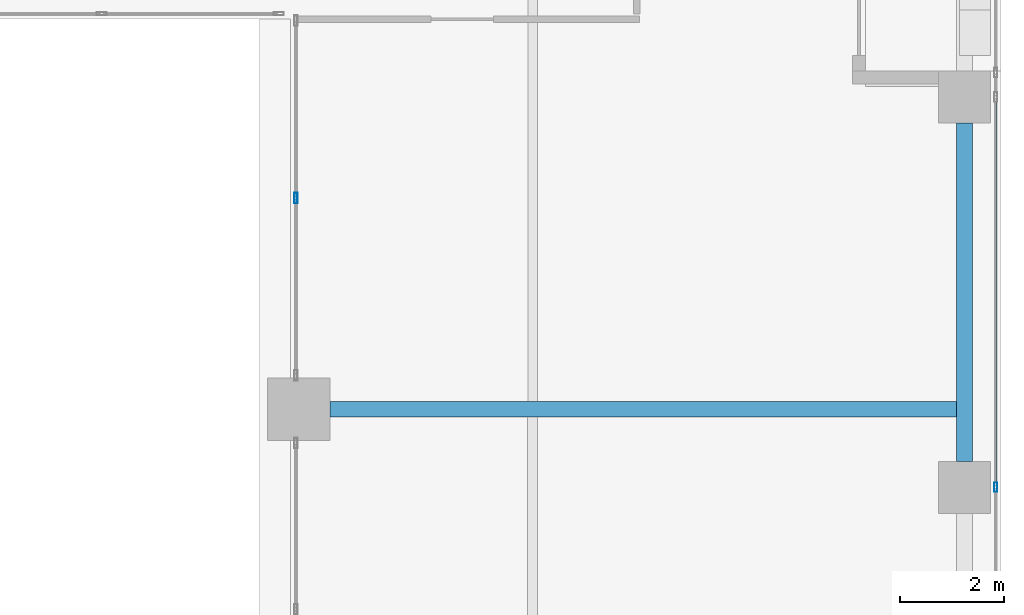
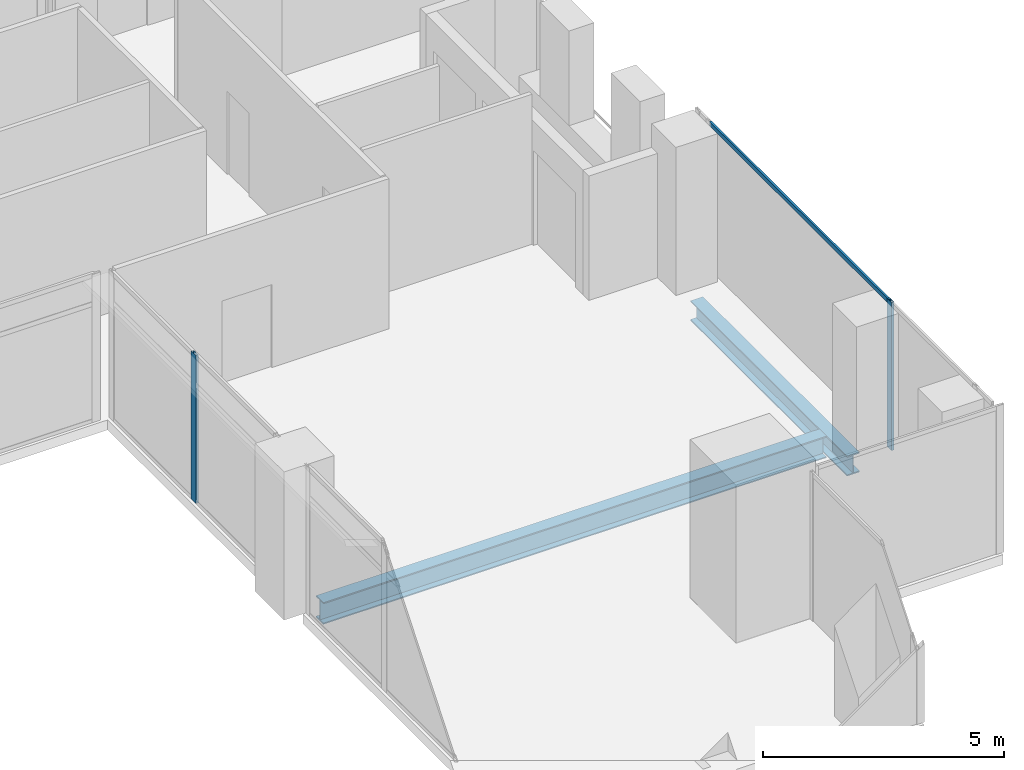
# One storey, part 13 of 38: 3 members, 2 beams, 2 elements without a shape of their own.
"""IFC4 building model written with IfcOpenShell, lengths in metres."""

from ifc_helpers import new_model, si_unit, direction, frame, origin, origin_2d, place, context, subcontext, project, spatial, hollow_rectangle, i_section, extrude, source, transform, mapped, material, material_profile, profile_set, type_object, element, aggregate, save


model = new_model("IFC4")

# Units and contexts
model_context = context("Model", 3, precision=1e-05, world=origin(), true_north=direction((0.0, 1.0)))
body_context = subcontext(model_context, "Body", "Model", "MODEL_VIEW")
ifc_project = project(units=[si_unit("LENGTHUNIT", "METRE"), si_unit("AREAUNIT", "SQUARE_METRE"), si_unit("VOLUMEUNIT", "CUBIC_METRE"), si_unit("PLANEANGLEUNIT", "RADIAN"), si_unit("MASSUNIT", "GRAM", prefix="KILO")], contexts=[model_context])

# Site, building, storey
site_placement = place(None, origin())
site = spatial("IfcSite", under=ifc_project, at=site_placement, CompositionType="ELEMENT")
building_placement = place(site_placement, origin())
building = spatial("IfcBuilding", under=site, at=building_placement, Name="Khomas Fold Tower", CompositionType="ELEMENT")
storey_placement = place(building_placement, frame((0.0, 0.0, 172.699951171875)))
storey = spatial("IfcBuildingStorey", under=building, at=storey_placement, Name="L37", CompositionType="ELEMENT", Elevation=172.699951171875)

# Beams
ifc_material_1 = material(Name="Steel S355", Category="steel")
ifc_material_profile_1 = material_profile(ifc_material_1, i_section(OverallWidth=0.300048828125, OverallDepth=0.5, WebThickness=0.014404296875, FlangeThickness=0.028076171875, at=origin_2d()), Name="HE 500 B")
ifc_profile_set_1 = profile_set([ifc_material_profile_1], Name="Steel S355")
beam_type_1 = type_object("IfcBeamType", Name="HE 500 B spandrel SB3", PredefinedType="SPANDREL", material=ifc_profile_set_1)
shared_shape_1 = source(origin(), body_context, "Body", "SweptSolid", [
    extrude(i_section(OverallWidth=0.300048828125, OverallDepth=0.5, WebThickness=0.014404296875, FlangeThickness=0.028076171875, at=origin_2d()), origin(), (0.0, 0.0, 1.0), 6.5),
])
beam_1_placement = place(storey_placement, frame((50.300048828125, 12.5, -0.5), z_axis=(0.0, 1.0, 0.0), x_axis=(-1.0, 0.0, 0.0)))
element("IfcBeam", 1, at=beam_1_placement, inside=storey, type_object=beam_type_1, Name="SB3", PredefinedType="SPANDREL", context=body_context, shape_type="MappedRepresentation", body=[
    mapped(shared_shape_1, transform((0.0, 0.0, 0.0))),
])
ifc_material_2 = material(Name="Steel S355", Category="steel")
ifc_material_profile_2 = material_profile(ifc_material_2, i_section(OverallWidth=0.300048828125, OverallDepth=0.550048828125, WebThickness=0.014892578125, FlangeThickness=0.029052734375, at=origin_2d()), Name="HE 550 B")
ifc_profile_set_2 = profile_set([ifc_material_profile_2], Name="Steel S355")
beam_type_2 = type_object("IfcBeamType", Name="HE 550 B beam GB4", PredefinedType="BEAM", material=ifc_profile_set_2)
shared_shape_2 = source(origin(), body_context, "Body", "SweptSolid", [
    extrude(i_section(OverallWidth=0.300048828125, OverallDepth=0.550048828125, WebThickness=0.014892578125, FlangeThickness=0.029052734375, at=origin_2d()), origin(), (0.0, 0.0, 1.0), 12.0498046875),
])
beam_2_placement = place(storey_placement, frame((38.10009765625, 13.5, -0.52490234375), z_axis=(1.0, 0.0, 0.0), x_axis=(0.0, 1.0, 0.0)))
element("IfcBeam", 2, at=beam_2_placement, inside=storey, type_object=beam_type_2, Name="GB4", PredefinedType="BEAM", context=body_context, shape_type="MappedRepresentation", body=[
    mapped(shared_shape_2, transform((0.0, 0.0, 0.0))),
])

# Curtain wall, members
ifc_material_3 = material(Name="Aluminium framed double glazing", Category="aluminium")
curtain_wall_type_1 = type_object("IfcCurtainWallType", Name="SK-Unitised clear-glass wall, office floors CW2", PredefinedType="NOTDEFINED", material=ifc_material_3)
curtain_wall_1_placement = place(storey_placement, origin())
curtain_wall_1 = element("IfcCurtainWall", 3, at=curtain_wall_1_placement, inside=storey, type_object=curtain_wall_type_1, Name="CW2 run L37 08-0", PredefinedType="NOTDEFINED")
ifc_material_4 = material(Name="Aluminium", Category="aluminium")
ifc_material_profile_3 = material_profile(ifc_material_4, hollow_rectangle(XDim=0.06005859375, YDim=0.179931640625, WallThickness=0.00390625, at=origin_2d()), Name="SK-Unitised clear-glass wall, office floors mullion CW2-M")
ifc_profile_set_3 = profile_set([ifc_material_profile_3], Name="Aluminium")
member_type_1 = type_object("IfcMemberType", Name="SK-Unitised clear-glass wall, office floors mullion CW2-M", PredefinedType="MULLION", material=ifc_profile_set_3)
shared_shape_3 = source(origin(), body_context, "Body", "SweptSolid", [
    extrude(hollow_rectangle(XDim=0.06005859375, YDim=0.179931640625, WallThickness=0.00390625, at=origin_2d()), origin(), (0.0, 0.0, 1.0), 3.75),
])
member_1_placement = place(storey_placement, frame((50.89990234375, 12.0, 0.0), z_axis=(0.0, 0.0, 1.0), x_axis=(-1.0, 0.0, 0.0)))
member_1 = element("IfcMember", 4, at=member_1_placement, type_object=member_type_1, Name="CW2 mullion 3", PredefinedType="MULLION", context=body_context, shape_type="MappedRepresentation", body=[
    mapped(shared_shape_3, transform((0.0, 0.0, 0.0))),
])
ifc_material_5 = material(Name="Aluminium", Category="aluminium")
ifc_material_profile_4 = material_profile(ifc_material_5, hollow_rectangle(XDim=0.050048828125, YDim=0.110107421875, WallThickness=0.00390625, at=origin_2d()), Name="SK-Unitised clear-glass wall, office floors transom CW2-T")
ifc_profile_set_4 = profile_set([ifc_material_profile_4], Name="Aluminium")
member_type_2 = type_object("IfcMemberType", Name="SK-Unitised clear-glass wall, office floors transom CW2-T", PredefinedType="USERDEFINED", material=ifc_profile_set_4)
shared_shape_4 = source(origin(), body_context, "Body", "SweptSolid", [
    extrude(hollow_rectangle(XDim=0.050048828125, YDim=0.110107421875, WallThickness=0.00390625, at=origin_2d()), origin(), (0.0, 0.0, 1.0), 7.43994140625),
])
member_2_placement = place(storey_placement, frame((50.89990234375, 12.030029296875, 3.695068359375), z_axis=(0.0, 1.0, 0.0), x_axis=(-1.0, 0.0, 0.0)))
member_2 = element("IfcMember", 5, at=member_2_placement, type_object=member_type_2, Name="CW2 transom 3", ObjectType="TRANSOM", PredefinedType="USERDEFINED", context=body_context, shape_type="MappedRepresentation", body=[
    mapped(shared_shape_4, transform((0.0, 0.0, 0.0))),
])
aggregate(curtain_wall_1, [member_1, member_2])

# Curtain wall, member
ifc_material_6 = material(Name="Aluminium framed double glazing", Category="aluminium")
curtain_wall_type_2 = type_object("IfcCurtainWallType", Name="Notch glazing GN-CW", PredefinedType="NOTDEFINED", material=ifc_material_6)
curtain_wall_2_placement = place(storey_placement, origin())
curtain_wall_2 = element("IfcCurtainWall", 6, at=curtain_wall_2_placement, inside=storey, type_object=curtain_wall_type_2, Name="Notch glazing run", PredefinedType="NOTDEFINED")
ifc_material_7 = material(Name="Aluminium", Category="aluminium")
ifc_material_profile_5 = material_profile(ifc_material_7, hollow_rectangle(XDim=0.06005859375, YDim=0.199951171875, WallThickness=0.00390625, at=origin_2d()), Name="Notch glazing mullion GN-CW-M")
ifc_profile_set_5 = profile_set([ifc_material_profile_5], Name="Aluminium")
member_type_3 = type_object("IfcMemberType", Name="Notch glazing mullion GN-CW-M", PredefinedType="MULLION", material=ifc_profile_set_5)
shared_shape_5 = source(origin(), body_context, "Body", "SweptSolid", [
    extrude(hollow_rectangle(XDim=0.06005859375, YDim=0.199951171875, WallThickness=0.00390625, at=origin_2d()), origin(), (0.0, 0.0, 1.0), 3.75),
])
member_3_placement = place(storey_placement, frame((37.449951171875, 17.56005859375, 0.0), z_axis=(0.0, 0.0, 1.0), x_axis=(1.0, 0.0, 0.0)))
member_3 = element("IfcMember", 7, at=member_3_placement, type_object=member_type_3, Name="GN-CW mullion 2", PredefinedType="MULLION", context=body_context, shape_type="MappedRepresentation", body=[
    mapped(shared_shape_5, transform((0.0, 0.0, 0.0))),
])
aggregate(curtain_wall_2, [member_3])

save(model, "model.ifc")
